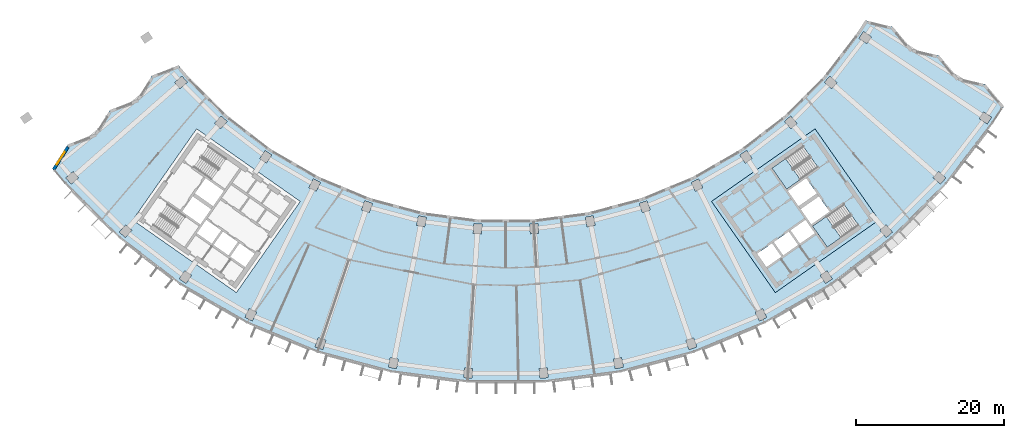
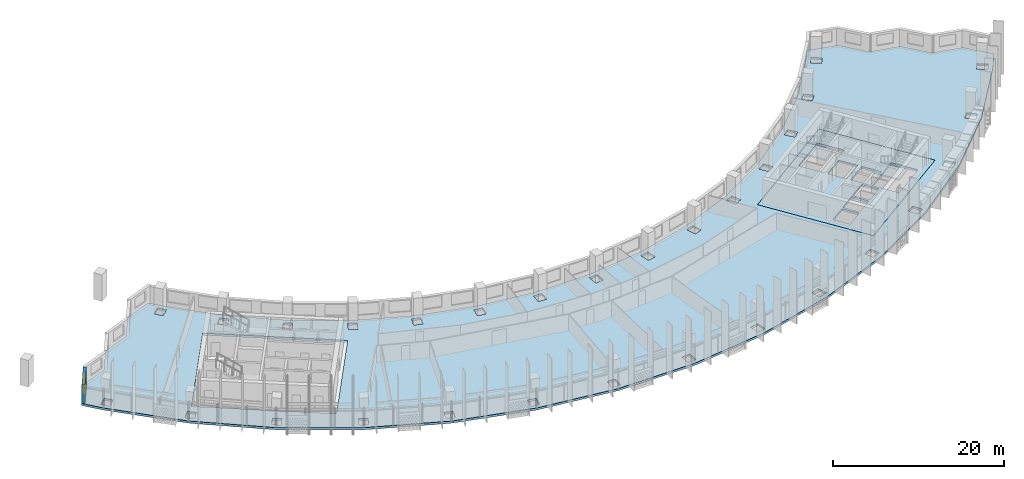
# One storey, part 2 of 27: 4 slabs, 1 wall, 1 window, 1 opening, 2 elements without a shape of their own.
"""IFC4 building model written with IfcOpenShell, lengths in metres."""

from ifc_helpers import new_model, si_unit, direction, frame, frame_2d, origin, place, context, subcontext, project, spatial, polyline, rectangle, outline, extrude, material, layer, layer_set, type_object, element, fill, aggregate, save


model = new_model("IFC4")

# Units and contexts
model_context = context("Model", 3, precision=1e-05, world=origin(), true_north=direction((0.0, 1.0)))
body_context = subcontext(model_context, "Body", "Model", "MODEL_VIEW")
ifc_project = project(units=[si_unit("LENGTHUNIT", "METRE"), si_unit("AREAUNIT", "SQUARE_METRE"), si_unit("VOLUMEUNIT", "CUBIC_METRE"), si_unit("PLANEANGLEUNIT", "RADIAN"), si_unit("MASSUNIT", "GRAM", prefix="KILO")], contexts=[model_context])

# Site, building, storey
site_placement = place(None, origin())
site = spatial("IfcSite", under=ifc_project, at=site_placement, CompositionType="ELEMENT")
building_placement = place(site_placement, origin())
building = spatial("IfcBuilding", under=site, at=building_placement, Name="Qamariyya Broadcast Tower", CompositionType="ELEMENT")
storey_placement = place(building_placement, frame((0.0, 0.0, 172.10009765625)))
storey = spatial("IfcBuildingStorey", under=building, at=storey_placement, Name="L40", CompositionType="ELEMENT", Elevation=172.10009765625)

# Slabs
ifc_material_1 = material(Name="Concrete C40/50", Category="concrete")
ifc_layer_1 = layer(ifc_material_1, 0.300048828125)
ifc_layer_set_1 = layer_set([ifc_layer_1], Name="Core floor slab 300 mm Concrete C40/50")
slab_type_1 = type_object("IfcSlabType", Name="Core floor slab 300 mm Concrete C40/50", PredefinedType="FLOOR", material=ifc_layer_set_1)
slab_1_placement = place(storey_placement, frame((0.0, 0.0, -0.300048828125)))
element("IfcSlab", 1, at=slab_1_placement, inside=storey, type_object=slab_type_1, Name="k-E-L40-slab", PredefinedType="FLOOR", context=body_context, shape_type="SweptSolid", body=[
    extrude(outline(polyline([(36.32373046875, -66.734375), (50.286376953125, -56.95751953125), (41.6826171875, -44.67041015625), (27.719970703125, -54.447021484375), (36.32373046875, -66.734375)]), holes=[polyline([(33.87353515625, -61.49169921875), (35.88037109375, -60.08642578125), (37.142333984375, -61.888427734375), (35.13525390625, -63.293701171875), (33.87353515625, -61.49169921875)]), polyline([(36.126220703125, -59.914306640625), (38.133056640625, -58.509033203125), (39.394775390625, -60.311279296875), (37.387939453125, -61.716552734375), (36.126220703125, -59.914306640625)]), polyline([(38.378662109375, -58.3369140625), (40.3857421875, -56.931640625), (41.6474609375, -58.73388671875), (39.640625, -60.13916015625), (38.378662109375, -58.3369140625)]), polyline([(39.742431640625, -55.489990234375), (42.199951171875, -53.769287109375), (43.6337890625, -55.817138671875), (41.17626953125, -57.537841796875), (39.742431640625, -55.489990234375)]), polyline([(39.45556640625, -55.080322265625), (41.9130859375, -53.359619140625), (40.47900390625, -51.311767578125), (38.021728515625, -53.032470703125), (39.45556640625, -55.080322265625)]), polyline([(40.082275390625, -47.01171875), (35.870849609375, -49.960693359375), (37.849609375, -52.78662109375), (42.06103515625, -49.837890625), (40.082275390625, -47.01171875)]), polyline([(45.559814453125, -54.834716796875), (41.348388671875, -57.783447265625), (43.3271484375, -60.609619140625), (47.538818359375, -57.66064453125), (45.559814453125, -54.834716796875)])]), origin(), (0.0, 0.0, 1.0), 0.300048828125),
])
ifc_layer_2 = layer(ifc_material_1, 0.300048828125)
ifc_layer_set_2 = layer_set([ifc_layer_2], Name="Post-tensioned floor slab 300 C40/50")
slab_type_2 = type_object("IfcSlabType", Name="Post-tensioned floor slab 300 C40/50", PredefinedType="FLOOR", material=ifc_layer_set_2)
slab_2_placement = place(storey_placement, frame((0.0, 0.0, -0.300048828125)))
element("IfcSlab", 2, at=slab_2_placement, inside=storey, type_object=slab_type_2, Name="Floor slab S4 L40", PredefinedType="FLOOR", context=body_context, shape_type="SweptSolid", body=[
    extrude(outline(polyline([(-59.055419921875, -46.771484375), (-61.140625, -50.0283203125), (-59.395263671875, -52.08837890625), (-52.08837890625, -59.395263671875), (-43.89013671875, -65.68603515625), (-34.94091796875, -70.85302734375), (-25.393798828125, -74.807373046875), (-15.412109375, -77.48193359375), (-5.166748046875, -78.830810546875), (5.166748046875, -78.830810546875), (15.412109375, -77.48193359375), (25.393798828125, -74.807373046875), (34.94091796875, -70.85302734375), (43.89013671875, -65.68603515625), (52.08837890625, -59.395263671875), (59.395263671875, -52.08837890625), (65.68603515625, -43.89013671875), (67.1474609375, -41.61962890625), (64.655029296875, -38.6630859375), (60.91455078125, -37.75634765625), (58.421142578125, -34.799072265625), (54.681396484375, -33.892822265625), (52.186767578125, -30.93505859375), (48.4482421875, -30.029541015625), (47.393798828125, -31.66748046875), (42.85498046875, -37.582763671875), (37.582763671875, -42.85498046875), (31.66748046875, -47.393798828125), (25.21044921875, -51.121826171875), (18.322021484375, -53.97509765625), (11.1201171875, -55.90478515625), (3.72802734375, -56.8779296875), (-3.72802734375, -56.8779296875), (-11.1201171875, -55.90478515625), (-18.322021484375, -53.97509765625), (-25.21044921875, -51.121826171875), (-31.66748046875, -47.393798828125), (-37.582763671875, -42.85498046875), (-42.85498046875, -37.582763671875), (-44.1142578125, -36.09619140625), (-47.70263671875, -37.482177734375), (-49.78955078125, -40.740234375), (-53.379150390625, -42.126953125), (-55.465087890625, -45.38427734375), (-59.055419921875, -46.771484375)]), holes=[polyline([(-5.676513671875, -78.1962890625), (-5.59130859375, -76.89892578125), (-4.49365234375, -76.970947265625), (-4.578857421875, -78.26806640625), (-5.676513671875, -78.1962890625)]), polyline([(-15.83447265625, -76.786376953125), (-15.580810546875, -75.51123046875), (-14.501953125, -75.725830078125), (-14.755615234375, -77.0009765625), (-15.83447265625, -76.786376953125)]), polyline([(-25.7216796875, -74.0625), (-25.3037109375, -72.83154296875), (-24.26220703125, -73.18505859375), (-24.679931640625, -74.416015625), (-25.7216796875, -74.0625)]), polyline([(-35.168701171875, -70.071533203125), (-34.59375, -68.905517578125), (-33.607177734375, -69.39208984375), (-34.18212890625, -70.55810546875), (-35.168701171875, -70.071533203125)]), polyline([(-44.013916015625, -64.881591796875), (-43.291748046875, -63.80078125), (-42.377197265625, -64.411865234375), (-43.099365234375, -65.49267578125), (-44.013916015625, -64.881591796875)]), polyline([(-52.106201171875, -58.58154296875), (-51.2490234375, -57.604248046875), (-50.422119140625, -58.32958984375), (-51.279296875, -59.306884765625), (-52.106201171875, -58.58154296875)]), polyline([(-4.401123046875, -58.738037109375), (-4.316162109375, -57.440673828125), (-3.218505859375, -57.5126953125), (-3.303466796875, -58.809814453125), (-4.401123046875, -58.738037109375)]), polyline([(-12.0302734375, -57.660888671875), (-11.776611328125, -56.385986328125), (-10.69775390625, -56.6005859375), (-10.951416015625, -57.87548828125), (-12.0302734375, -57.660888671875)]), polyline([(-50.286376953125, -56.95751953125), (-41.6826171875, -44.67041015625), (-27.719970703125, -54.447021484375), (-36.32373046875, -66.734375), (-50.286376953125, -56.95751953125)]), polyline([(-19.45361328125, -55.597412109375), (-19.03564453125, -54.366455078125), (-17.994140625, -54.719970703125), (-18.411865234375, -55.950927734375), (-19.45361328125, -55.597412109375)]), polyline([(-26.544189453125, -52.58251953125), (-25.968994140625, -51.41650390625), (-24.982666015625, -51.903076171875), (-25.5576171875, -53.069091796875), (-26.544189453125, -52.58251953125)]), polyline([(-59.306884765625, -51.279296875), (-58.32958984375, -50.422119140625), (-57.604248046875, -51.2490234375), (-58.58154296875, -52.106201171875), (-59.306884765625, -51.279296875)]), polyline([(-33.180419921875, -48.66796875), (-32.458251953125, -47.587158203125), (-31.54345703125, -48.1982421875), (-32.265869140625, -49.279052734375), (-33.180419921875, -48.66796875)]), polyline([(-39.2490234375, -43.920654296875), (-38.391845703125, -42.943359375), (-37.564697265625, -43.668701171875), (-38.421875, -44.64599609375), (-39.2490234375, -43.920654296875)]), polyline([(-43.668701171875, -37.564697265625), (-42.943359375, -38.391845703125), (-43.920654296875, -39.2490234375), (-44.64599609375, -38.421875), (-43.668701171875, -37.564697265625)]), polyline([(4.578857421875, -78.26806640625), (4.49365234375, -76.970947265625), (5.59130859375, -76.89892578125), (5.676513671875, -78.1962890625), (4.578857421875, -78.26806640625)]), polyline([(14.755615234375, -77.0009765625), (14.501953125, -75.725830078125), (15.580810546875, -75.51123046875), (15.83447265625, -76.786376953125), (14.755615234375, -77.0009765625)]), polyline([(24.679931640625, -74.416015625), (24.26220703125, -73.18505859375), (25.3037109375, -72.83154296875), (25.7216796875, -74.0625), (24.679931640625, -74.416015625)]), polyline([(34.18212890625, -70.55810546875), (33.607177734375, -69.39208984375), (34.59375, -68.905517578125), (35.168701171875, -70.071533203125), (34.18212890625, -70.55810546875)]), polyline([(43.099365234375, -65.49267578125), (42.377197265625, -64.411865234375), (43.291748046875, -63.80078125), (44.013916015625, -64.881591796875), (43.099365234375, -65.49267578125)]), polyline([(51.279296875, -59.306884765625), (50.422119140625, -58.32958984375), (51.2490234375, -57.604248046875), (52.106201171875, -58.58154296875), (51.279296875, -59.306884765625)]), polyline([(3.303466796875, -58.809814453125), (3.218505859375, -57.5126953125), (4.316162109375, -57.440673828125), (4.401123046875, -58.738037109375), (3.303466796875, -58.809814453125)]), polyline([(10.951416015625, -57.87548828125), (10.69775390625, -56.6005859375), (11.776611328125, -56.385986328125), (12.0302734375, -57.660888671875), (10.951416015625, -57.87548828125)]), polyline([(36.32373046875, -66.734375), (27.719970703125, -54.447021484375), (41.6826171875, -44.67041015625), (50.286376953125, -56.95751953125), (36.32373046875, -66.734375)]), polyline([(18.411865234375, -55.950927734375), (17.994140625, -54.719970703125), (19.03564453125, -54.366455078125), (19.45361328125, -55.597412109375), (18.411865234375, -55.950927734375)]), polyline([(25.5576171875, -53.069091796875), (24.982666015625, -51.903076171875), (25.968994140625, -51.41650390625), (26.544189453125, -52.58251953125), (25.5576171875, -53.069091796875)]), polyline([(58.58154296875, -52.106201171875), (57.604248046875, -51.2490234375), (58.32958984375, -50.422119140625), (59.306884765625, -51.279296875), (58.58154296875, -52.106201171875)]), polyline([(32.265869140625, -49.279052734375), (31.54345703125, -48.1982421875), (32.458251953125, -47.587158203125), (33.180419921875, -48.66796875), (32.265869140625, -49.279052734375)]), polyline([(38.421875, -44.64599609375), (37.564697265625, -43.668701171875), (38.391845703125, -42.943359375), (39.2490234375, -43.920654296875), (38.421875, -44.64599609375)]), polyline([(64.881591796875, -44.013916015625), (63.80078125, -43.291748046875), (64.411865234375, -42.377197265625), (65.49267578125, -43.099365234375), (64.881591796875, -44.013916015625)]), polyline([(42.943359375, -38.391845703125), (43.668701171875, -37.564697265625), (44.64599609375, -38.421875), (43.920654296875, -39.2490234375), (42.943359375, -38.391845703125)]), polyline([(47.587158203125, -32.458251953125), (48.1982421875, -31.54345703125), (49.279052734375, -32.265869140625), (48.66796875, -33.180419921875), (47.587158203125, -32.458251953125)])]), origin(), (0.0, 0.0, 1.0), 0.300048828125),
])

# Stair, slab
ifc_material_2 = material(Name="Concrete C50/60", Category="concrete")
stair_type = type_object("IfcStairType", Name="Exit stair 22 risers of 173 mm", PredefinedType="HALF_TURN_STAIR", material=ifc_material_2)
stair_1_placement = place(storey_placement, origin())
stair_1 = element("IfcStair", 3, at=stair_1_placement, inside=storey, type_object=stair_type, Name="L40 Stair E2", PredefinedType="HALF_TURN_STAIR")
ifc_layer_3 = layer(ifc_material_2, 0.199951171875)
ifc_layer_set_3 = layer_set([ifc_layer_3], Name="Stair landing")
slab_type_3 = type_object("IfcSlabType", Name="Stair landing", PredefinedType="LANDING", material=ifc_layer_set_3)
slab_3_placement = place(storey_placement, frame((0.0, 0.0, 1.699951171875)))
slab_3 = element("IfcSlab", 4, at=slab_3_placement, type_object=slab_type_3, Name="ST-E2 landing 1", PredefinedType="LANDING", context=body_context, shape_type="SweptSolid", body=[
    extrude(outline(polyline([(37.71337890625, -48.67041015625), (35.870849609375, -49.960693359375), (37.849609375, -52.78662109375), (39.692138671875, -51.49658203125), (37.71337890625, -48.67041015625)])), origin(), (0.0, 0.0, 1.0), 0.199951171875),
])
aggregate(stair_1, [slab_3])

stair_2_placement = place(storey_placement, origin())
stair_2 = element("IfcStair", 5, at=stair_2_placement, inside=storey, type_object=stair_type, Name="L40 Stair E1", PredefinedType="HALF_TURN_STAIR")
slab_4_placement = place(storey_placement, frame((0.0, 0.0, 1.699951171875)))
slab_4 = element("IfcSlab", 6, at=slab_4_placement, type_object=slab_type_3, Name="ST-E1 landing 1", PredefinedType="LANDING", context=body_context, shape_type="SweptSolid", body=[
    extrude(outline(polyline([(43.19091796875, -56.493408203125), (41.348388671875, -57.783447265625), (43.3271484375, -60.609619140625), (45.169677734375, -59.319580078125), (43.19091796875, -56.493408203125)])), origin(), (0.0, 0.0, 1.0), 0.199951171875),
])
aggregate(stair_2, [slab_4])

# Wall, opening, window
ifc_material_3 = material(Name="Terracotta", Category="masonry")
ifc_layer_4 = layer(ifc_material_3, 0.39990234375)
ifc_layer_set_4 = layer_set([ifc_layer_4], Name="Terracotta clad wall 400")
wall_type = type_object("IfcWallType", Name="Terracotta clad wall 400", PredefinedType="SOLIDWALL", material=ifc_layer_set_4)
wall_placement = place(storey_placement, frame((-59.0380859375, -47.115234375, 0.0), z_axis=(0.0, 0.0, 1.0), x_axis=(-0.539212067761, -0.842170022015, 0.0)))
wall = element("IfcWall", 7, at=wall_placement, inside=storey, type_object=wall_type, Name="e-wl-L40-capW5", PredefinedType="SOLIDWALL", context=body_context, shape_type="SweptSolid", body=[
    extrude(rectangle(XDim=3.5869140625, YDim=0.39990234375, at=frame_2d((1.79345703125, 0.0))), origin(), (0.0, 0.0, 1.0), 2.699951171875),
])
opening_placement = place(wall_placement, frame((0.79345703125, 0.0, 0.89990234375)))
opening = element("IfcOpeningElement", 8, at=opening_placement, cuts=wall, Name="Opening W4", PredefinedType="OPENING", context=body_context, shape_type="SweptSolid", body=[
    extrude(rectangle(XDim=2.0, YDim=1.5, at=frame_2d((1.0, 0.75))), frame((0.0, 0.2099609375, 0.0), z_axis=(0.0, -1.0, 0.0), x_axis=(1.0, 0.0, 0.0)), (0.0, 0.0, 1.0), 0.419921875),
])
ifc_material_4 = material(Name="Clear low-e double glazed unit in aluminium frame", Category="aluminium")
window_type = type_object("IfcWindowType", Name="Horn bay window 2000 x 1500", PartitioningType="SINGLE_PANEL", PredefinedType="WINDOW", material=ifc_material_4)
window_placement = place(opening_placement, origin())
window = element("IfcWindow", 9, at=window_placement, inside=storey, type_object=window_type, Name="e-w-L40-capW5", OverallHeight=1.5, OverallWidth=2.0, PartitioningType="SINGLE_PANEL", PredefinedType="WINDOW", context=body_context, shape_type="SweptSolid", body=[
    extrude(rectangle(XDim=2.0, YDim=1.5, at=frame_2d((1.0, 0.75))), frame((0.0, 0.030029296875, 0.0), z_axis=(0.0, -1.0, 0.0), x_axis=(1.0, 0.0, 0.0)), (0.0, 0.0, 1.0), 0.06005859375),
])
fill(opening, window)

save(model, "model.ifc")
